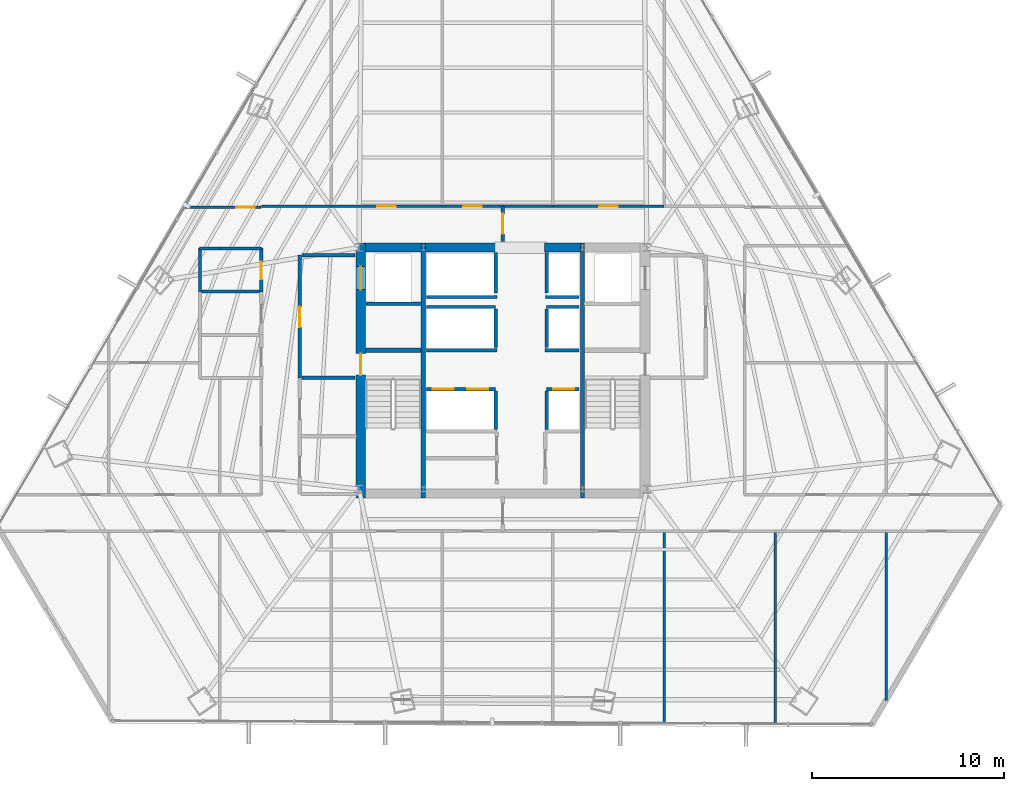
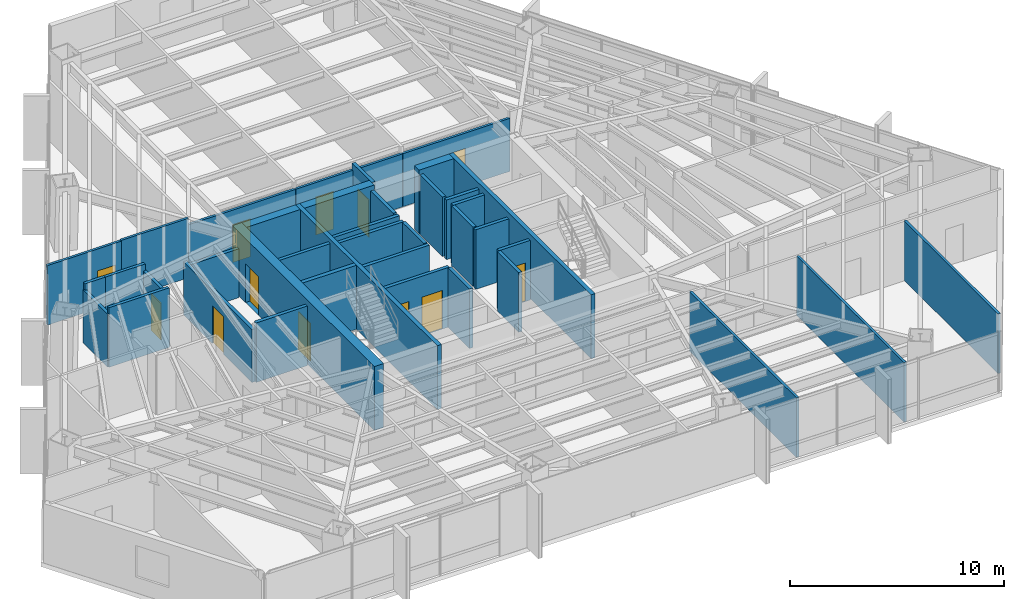
# One storey, part 31 of 37: 40 walls, 12 doors, 12 openings.
"""IFC4 building model written with IfcOpenShell, lengths in metres."""

from ifc_helpers import new_model, si_unit, direction, frame, frame_2d, origin, place, context, subcontext, project, spatial, rectangle, extrude, material, layer, layer_set, type_object, element, fill, save


model = new_model("IFC4")

# Units and contexts
model_context = context("Model", 3, precision=1e-05, world=origin(), true_north=direction((0.0, 1.0)))
body_context = subcontext(model_context, "Body", "Model", "MODEL_VIEW")
ifc_project = project(units=[si_unit("LENGTHUNIT", "METRE"), si_unit("AREAUNIT", "SQUARE_METRE"), si_unit("VOLUMEUNIT", "CUBIC_METRE"), si_unit("PLANEANGLEUNIT", "RADIAN"), si_unit("MASSUNIT", "GRAM", prefix="KILO")], contexts=[model_context])

# Site, building, storey
site_placement = place(None, origin())
site = spatial("IfcSite", under=ifc_project, at=site_placement, CompositionType="ELEMENT")
building_placement = place(site_placement, origin())
building = spatial("IfcBuilding", under=site, at=building_placement, Name="Caelisora Broadcast Tower", CompositionType="ELEMENT")
storey_placement = place(building_placement, frame((0.0, 0.0, 105.39990234375)))
storey = spatial("IfcBuildingStorey", under=building, at=storey_placement, Name="L27", CompositionType="ELEMENT", Elevation=105.39990234375)

# Wall, openings, doors
ifc_material_1 = material(Name="Concrete 50 MPa (AS 3600 S50)", Category="concrete")
ifc_layer_1 = layer(ifc_material_1, 0.5, Name="Concrete 50 MPa (AS 3600 S50)")
ifc_layer_set_1 = layer_set([ifc_layer_1], Name="Concrete 50 MPa (AS 3600 S50)")
wall_type_1 = type_object("IfcWallType", Name="CW2", PredefinedType="SHEAR", material=ifc_layer_set_1)
wall_1_placement = place(storey_placement, frame((30.590087890625, 16.949951171875, 0.0), z_axis=(0.0, 0.0, 1.0), x_axis=(0.0, 1.0, 0.0)))
wall_1 = element("IfcWall", 1, at=wall_1_placement, inside=storey, type_object=wall_type_1, Name="L27 core shear wall CW2", PredefinedType="SHEAR", context=body_context, shape_type="SweptSolid", body=[
    extrude(rectangle(XDim=13.275146484375, YDim=0.5, at=frame_2d((6.6376953125, 0.0))), origin(), (0.0, 0.0, 1.0), 3.650146484375),
])
opening_1_placement = place(wall_1_placement, frame((6.39990234375, 0.0, 0.0)))
opening_1 = element("IfcOpeningElement", 2, at=opening_1_placement, cuts=wall_1, Name="Opening FD04", PredefinedType="OPENING", context=body_context, shape_type="SweptSolid", body=[
    extrude(rectangle(XDim=1.1201171875, YDim=2.14990234375, at=frame_2d((0.56005859375, 1.074951171875))), frame((0.0, 0.261962890625, 0.0), z_axis=(0.0, -1.0, 0.0), x_axis=(1.0, 0.0, 0.0)), (0.0, 0.0, 1.0), 0.52392578125),
])
opening_2_placement = place(wall_1_placement, frame((10.85009765625, 0.0, 0.0)))
opening_2 = element("IfcOpeningElement", 3, at=opening_2_placement, cuts=wall_1, Name="Opening LD04", PredefinedType="OPENING", context=body_context, shape_type="SweptSolid", body=[
    extrude(rectangle(XDim=1.199951171875, YDim=2.199951171875, at=frame_2d((0.60009765625, 1.10009765625))), frame((0.0, 0.261962890625, 0.0), z_axis=(0.0, -1.0, 0.0), x_axis=(1.0, 0.0, 0.0)), (0.0, 0.0, 1.0), 0.52392578125),
])
ifc_material_2 = material(Name="Pressurised Fire-Isolated Stair Door", Category="steel")
door_type_1 = type_object("IfcDoorType", Name="FD04", OperationType="NOTDEFINED", PredefinedType="DOOR", material=ifc_material_2)
door_1_placement = place(opening_1_placement, origin())
door_1 = element("IfcDoor", 4, at=door_1_placement, inside=storey, type_object=door_type_1, Name="L27 door FD04 (L27-DR-ST1)", OperationType="SINGLE_SWING_LEFT", OverallHeight=2.14990234375, OverallWidth=1.1201171875, PredefinedType="DOOR", context=body_context, shape_type="SweptSolid", body=[
    extrude(rectangle(XDim=1.1201171875, YDim=2.14990234375, at=frame_2d((0.56005859375, 1.074951171875))), frame((0.0, 0.02490234375, 0.0), z_axis=(0.0, -1.0, 0.0), x_axis=(1.0, 0.0, 0.0)), (0.0, 0.0, 1.0), 0.050048828125),
])
fill(opening_1, door_1)
ifc_material_3 = material(Name="Emergency Firefighting Lift Sliding Landing Door", Category="steel")
door_type_2 = type_object("IfcDoorType", Name="LD04", OperationType="NOTDEFINED", PredefinedType="DOOR", material=ifc_material_3)
door_2_placement = place(opening_2_placement, origin())
door_2 = element("IfcDoor", 5, at=door_2_placement, inside=storey, type_object=door_type_2, Name="L27 door LD04 (L27-LD-FFL1)", OperationType="SLIDING_TO_LEFT", OverallHeight=2.199951171875, OverallWidth=1.199951171875, PredefinedType="DOOR", context=body_context, shape_type="SweptSolid", body=[
    extrude(rectangle(XDim=1.199951171875, YDim=2.199951171875, at=frame_2d((0.60009765625, 1.10009765625))), frame((0.0, 0.02490234375, 0.0), z_axis=(0.0, -1.0, 0.0), x_axis=(1.0, 0.0, 0.0)), (0.0, 0.0, 1.0), 0.050048828125),
])
fill(opening_2, door_2)

# Walls
ifc_layer_2 = layer(ifc_material_1, 0.449951171875, Name="Concrete 50 MPa (AS 3600 S50)")
ifc_layer_set_2 = layer_set([ifc_layer_2], Name="Concrete 50 MPa (AS 3600 S50)")
wall_type_2 = type_object("IfcWallType", Name="CW5", PredefinedType="SHEAR", material=ifc_layer_set_2)
wall_2_placement = place(storey_placement, frame((30.840087890625, 30.0, 0.0), z_axis=(0.0, 0.0, 1.0), x_axis=(1.0, 0.0, 0.0)))
element("IfcWall", 6, at=wall_2_placement, inside=storey, type_object=wall_type_2, Name="L27 core shear wall CW5", PredefinedType="SHEAR", context=body_context, shape_type="SweptSolid", body=[
    extrude(rectangle(XDim=2.89990234375, YDim=0.449951171875, at=frame_2d((1.449951171875, 0.0))), origin(), (0.0, 0.0, 1.0), 3.650146484375),
])
wall_3_placement = place(storey_placement, frame((33.9599609375, 30.0, 0.0), z_axis=(0.0, 0.0, 1.0), x_axis=(1.0, 0.0, 0.0)))
element("IfcWall", 7, at=wall_3_placement, inside=storey, type_object=wall_type_2, Name="L27 core shear wall CW5", PredefinedType="SHEAR", context=body_context, shape_type="SweptSolid", body=[
    extrude(rectangle(XDim=3.780029296875, YDim=0.449951171875, at=frame_2d((1.89013671875, 0.0))), origin(), (0.0, 0.0, 1.0), 3.650146484375),
])
wall_4_placement = place(storey_placement, frame((40.159912109375, 30.0, 0.0), z_axis=(0.0, 0.0, 1.0), x_axis=(1.0, 0.0, 0.0)))
element("IfcWall", 8, at=wall_4_placement, inside=storey, type_object=wall_type_2, Name="L27 core shear wall CW5", PredefinedType="SHEAR", context=body_context, shape_type="SweptSolid", body=[
    extrude(rectangle(XDim=1.880126953125, YDim=0.449951171875, at=frame_2d((0.93994140625, 0.0))), origin(), (0.0, 0.0, 1.0), 3.650146484375),
])
ifc_layer_3 = layer(ifc_material_1, 0.219970703125, Name="Concrete 50 MPa (AS 3600 S50)")
ifc_layer_set_3 = layer_set([ifc_layer_3], Name="Concrete 50 MPa (AS 3600 S50)")
wall_type_3 = type_object("IfcWallType", Name="CW7", PredefinedType="SHEAR", material=ifc_layer_set_3)
for number, where, z_axis, x_axis, name in (
    (9, (33.85009765625, 16.949951171875, 0.0), (0.0, 0.0, 1.0), (0.0, 1.0, 0.0), "L27 core shear wall CW7"),
    (10, (42.14990234375, 16.949951171875, 0.0), (0.0, 0.0, 1.0), (0.0, 1.0, 0.0), "L27 core shear wall CW7"),
):
    element("IfcWall", number, at=place(storey_placement, frame(where, z_axis=z_axis, x_axis=x_axis)), inside=storey, type_object=wall_type_3, Name=name, PredefinedType="SHEAR", context=body_context, shape_type="SweptSolid", body=[
        extrude(rectangle(XDim=13.275146484375, YDim=0.219970703125, at=frame_2d((6.6376953125, 0.0))), origin(), (0.0, 0.0, 1.0), 3.650146484375),
    ])
wall_5_placement = place(storey_placement, frame((30.840087890625, 24.639892578125, 0.0), z_axis=(0.0, 0.0, 1.0), x_axis=(1.0, 0.0, 0.0)))
element("IfcWall", 11, at=wall_5_placement, inside=storey, type_object=wall_type_3, Name="L27 core shear wall CW7", PredefinedType="SHEAR", context=body_context, shape_type="SweptSolid", body=[
    extrude(rectangle(XDim=2.89990234375, YDim=0.219970703125, at=frame_2d((1.449951171875, 0.0))), origin(), (0.0, 0.0, 1.0), 3.650146484375),
])

# Wall, openings, doors
ifc_material_4 = material(Name="Fire-Rated Gypsum Shaft and Compartment Wall", Category="gypsum")
ifc_layer_4 = layer(ifc_material_4, 0.179931640625, Name="Fire-Rated Gypsum Shaft and Compartment Wall")
ifc_layer_set_4 = layer_set([ifc_layer_4], Name="Fire-Rated Gypsum Shaft and Compartment Wall")
wall_type_4 = type_object("IfcWallType", Name="PW2", PredefinedType="PARTITIONING", material=ifc_layer_set_4)
wall_6_placement = place(storey_placement, frame((34.02001953125, 22.6201171875, 0.0), z_axis=(0.0, 0.0, 1.0), x_axis=(1.0, 0.0, 0.0)))
wall_6 = element("IfcWall", 12, at=wall_6_placement, inside=storey, type_object=wall_type_4, Name="L27 fire compartment wall PW2", PredefinedType="PARTITIONING", context=body_context, shape_type="SweptSolid", body=[
    extrude(rectangle(XDim=3.60009765625, YDim=0.179931640625, at=frame_2d((1.800048828125, 0.0))), origin(), (0.0, 0.0, 1.0), 3.400146484375),
])
opening_3_placement = place(wall_6_placement, frame((0.320068359375, 0.0, 0.0)))
opening_3 = element("IfcOpeningElement", 13, at=opening_3_placement, cuts=wall_6, Name="Opening LD01", PredefinedType="OPENING", context=body_context, shape_type="SweptSolid", body=[
    extrude(rectangle(XDim=1.10009765625, YDim=2.199951171875, at=frame_2d((0.550048828125, 1.10009765625))), frame((0.0, 0.10205078125, 0.0), z_axis=(0.0, -1.0, 0.0), x_axis=(1.0, 0.0, 0.0)), (0.0, 0.0, 1.0), 0.203857421875),
])
opening_4_placement = place(wall_6_placement, frame((2.1201171875, 0.0, 0.0)))
opening_4 = element("IfcOpeningElement", 14, at=opening_4_placement, cuts=wall_6, Name="Opening LD01", PredefinedType="OPENING", context=body_context, shape_type="SweptSolid", body=[
    extrude(rectangle(XDim=1.10009765625, YDim=2.199951171875, at=frame_2d((0.550048828125, 1.10009765625))), frame((0.0, 0.10205078125, 0.0), z_axis=(0.0, -1.0, 0.0), x_axis=(1.0, 0.0, 0.0)), (0.0, 0.0, 1.0), 0.203857421875),
])
ifc_material_5 = material(Name="Stainless Steel Centre-Parting Lift Landing Door", Category="steel")
door_type_3 = type_object("IfcDoorType", Name="LD01", OperationType="NOTDEFINED", PredefinedType="DOOR", material=ifc_material_5)
door_3_placement = place(opening_3_placement, origin())
door_3 = element("IfcDoor", 15, at=door_3_placement, inside=storey, type_object=door_type_3, Name="L27 door LD01 (L27-LD-PLL1)", OperationType="SLIDING_TO_LEFT", OverallHeight=2.199951171875, OverallWidth=1.10009765625, PredefinedType="DOOR", context=body_context, shape_type="SweptSolid", body=[
    extrude(rectangle(XDim=1.10009765625, YDim=2.199951171875, at=frame_2d((0.550048828125, 1.10009765625))), frame((0.0, 0.02490234375, 0.0), z_axis=(0.0, -1.0, 0.0), x_axis=(1.0, 0.0, 0.0)), (0.0, 0.0, 1.0), 0.050048828125),
])
fill(opening_3, door_3)
door_4_placement = place(opening_4_placement, origin())
door_4 = element("IfcDoor", 16, at=door_4_placement, inside=storey, type_object=door_type_3, Name="L27 door LD01 (L27-LD-PLL2)", OperationType="SLIDING_TO_RIGHT", OverallHeight=2.199951171875, OverallWidth=1.10009765625, PredefinedType="DOOR", context=body_context, shape_type="SweptSolid", body=[
    extrude(rectangle(XDim=1.10009765625, YDim=2.199951171875, at=frame_2d((0.550048828125, 1.10009765625))), frame((0.0, 0.02490234375, 0.0), z_axis=(0.0, -1.0, 0.0), x_axis=(1.0, 0.0, 0.0)), (0.0, 0.0, 1.0), 0.050048828125),
])
fill(opening_4, door_4)

# Wall, opening, door
wall_7_placement = place(storey_placement, frame((40.280029296875, 22.6201171875, 0.0), z_axis=(0.0, 0.0, 1.0), x_axis=(1.0, 0.0, 0.0)))
wall_7 = element("IfcWall", 17, at=wall_7_placement, inside=storey, type_object=wall_type_4, Name="L27 fire compartment wall PW2", PredefinedType="PARTITIONING", context=body_context, shape_type="SweptSolid", body=[
    extrude(rectangle(XDim=1.699951171875, YDim=0.179931640625, at=frame_2d((0.85009765625, 0.0))), origin(), (0.0, 0.0, 1.0), 3.400146484375),
])
opening_5_placement = place(wall_7_placement, frame((0.35009765625, 0.0, 0.0)))
opening_5 = element("IfcOpeningElement", 18, at=opening_5_placement, cuts=wall_7, Name="Opening LD01", PredefinedType="OPENING", context=body_context, shape_type="SweptSolid", body=[
    extrude(rectangle(XDim=1.10009765625, YDim=2.199951171875, at=frame_2d((0.550048828125, 1.10009765625))), frame((0.0, 0.10205078125, 0.0), z_axis=(0.0, -1.0, 0.0), x_axis=(1.0, 0.0, 0.0)), (0.0, 0.0, 1.0), 0.203857421875),
])
door_5_placement = place(opening_5_placement, origin())
door_5 = element("IfcDoor", 19, at=door_5_placement, inside=storey, type_object=door_type_3, Name="L27 door LD01 (L27-LD-PLL3)", OperationType="SLIDING_TO_LEFT", OverallHeight=2.199951171875, OverallWidth=1.10009765625, PredefinedType="DOOR", context=body_context, shape_type="SweptSolid", body=[
    extrude(rectangle(XDim=1.10009765625, YDim=2.199951171875, at=frame_2d((0.550048828125, 1.10009765625))), frame((0.0, 0.02490234375, 0.0), z_axis=(0.0, -1.0, 0.0), x_axis=(1.0, 0.0, 0.0)), (0.0, 0.0, 1.0), 0.050048828125),
])
fill(opening_5, door_5)

# Walls
for number, where, z_axis, x_axis, name in (
    (20, (37.6201171875, 20.52001953125, 0.0), (0.0, 0.0, 1.0), (0.0, 1.0, 0.0), "L27 fire compartment wall PW2"),
    (21, (40.280029296875, 20.52001953125, 0.0), (0.0, 0.0, 1.0), (0.0, 1.0, 0.0), "L27 fire compartment wall PW2"),
):
    element("IfcWall", number, at=place(storey_placement, frame(where, z_axis=z_axis, x_axis=x_axis)), inside=storey, type_object=wall_type_4, Name=name, PredefinedType="PARTITIONING", context=body_context, shape_type="SweptSolid", body=[
        extrude(rectangle(XDim=2.0, YDim=0.179931640625, at=frame_2d((1.0, 0.0))), origin(), (0.0, 0.0, 1.0), 3.400146484375),
    ])
wall_8_placement = place(storey_placement, frame((34.02001953125, 26.89990234375, 0.0), z_axis=(0.0, 0.0, 1.0), x_axis=(1.0, 0.0, 0.0)))
element("IfcWall", 22, at=wall_8_placement, inside=storey, type_object=wall_type_4, Name="L27 fire compartment wall PW2", PredefinedType="PARTITIONING", context=body_context, shape_type="SweptSolid", body=[
    extrude(rectangle(XDim=3.60009765625, YDim=0.179931640625, at=frame_2d((1.800048828125, 0.0))), origin(), (0.0, 0.0, 1.0), 3.400146484375),
])
wall_9_placement = place(storey_placement, frame((40.280029296875, 26.89990234375, 0.0), z_axis=(0.0, 0.0, 1.0), x_axis=(1.0, 0.0, 0.0)))
element("IfcWall", 23, at=wall_9_placement, inside=storey, type_object=wall_type_4, Name="L27 fire compartment wall PW2", PredefinedType="PARTITIONING", context=body_context, shape_type="SweptSolid", body=[
    extrude(rectangle(XDim=1.699951171875, YDim=0.179931640625, at=frame_2d((0.85009765625, 0.0))), origin(), (0.0, 0.0, 1.0), 3.400146484375),
])
for number, where, z_axis, x_axis, name in (
    (24, (37.6201171875, 24.800048828125, 0.0), (0.0, 0.0, 1.0), (0.0, 1.0, 0.0), "L27 fire compartment wall PW2"),
    (25, (40.280029296875, 24.800048828125, 0.0), (0.0, 0.0, 1.0), (0.0, 1.0, 0.0), "L27 fire compartment wall PW2"),
):
    element("IfcWall", number, at=place(storey_placement, frame(where, z_axis=z_axis, x_axis=x_axis)), inside=storey, type_object=wall_type_4, Name=name, PredefinedType="PARTITIONING", context=body_context, shape_type="SweptSolid", body=[
        extrude(rectangle(XDim=2.0, YDim=0.179931640625, at=frame_2d((1.0, 0.0))), origin(), (0.0, 0.0, 1.0), 3.400146484375),
    ])
wall_10_placement = place(storey_placement, frame((34.02001953125, 24.639892578125, 0.0), z_axis=(0.0, 0.0, 1.0), x_axis=(1.0, 0.0, 0.0)))
element("IfcWall", 26, at=wall_10_placement, inside=storey, type_object=wall_type_4, Name="L27 fire compartment wall PW2", PredefinedType="PARTITIONING", context=body_context, shape_type="SweptSolid", body=[
    extrude(rectangle(XDim=3.679931640625, YDim=0.179931640625, at=frame_2d((1.83984375, 0.0))), origin(), (0.0, 0.0, 1.0), 3.400146484375),
])
wall_11_placement = place(storey_placement, frame((40.199951171875, 24.639892578125, 0.0), z_axis=(0.0, 0.0, 1.0), x_axis=(1.0, 0.0, 0.0)))
element("IfcWall", 27, at=wall_11_placement, inside=storey, type_object=wall_type_4, Name="L27 fire compartment wall PW2", PredefinedType="PARTITIONING", context=body_context, shape_type="SweptSolid", body=[
    extrude(rectangle(XDim=1.780029296875, YDim=0.179931640625, at=frame_2d((0.89013671875, 0.0))), origin(), (0.0, 0.0, 1.0), 3.400146484375),
])
wall_12_placement = place(storey_placement, frame((34.02001953125, 27.419921875, 0.0), z_axis=(0.0, 0.0, 1.0), x_axis=(1.0, 0.0, 0.0)))
element("IfcWall", 28, at=wall_12_placement, inside=storey, type_object=wall_type_4, Name="L27 fire compartment wall PW2", PredefinedType="PARTITIONING", context=body_context, shape_type="SweptSolid", body=[
    extrude(rectangle(XDim=3.659912109375, YDim=0.179931640625, at=frame_2d((1.830078125, 0.0))), origin(), (0.0, 0.0, 1.0), 3.400146484375),
])
wall_13_placement = place(storey_placement, frame((40.219970703125, 27.419921875, 0.0), z_axis=(0.0, 0.0, 1.0), x_axis=(1.0, 0.0, 0.0)))
element("IfcWall", 29, at=wall_13_placement, inside=storey, type_object=wall_type_4, Name="L27 fire compartment wall PW2", PredefinedType="PARTITIONING", context=body_context, shape_type="SweptSolid", body=[
    extrude(rectangle(XDim=1.760009765625, YDim=0.179931640625, at=frame_2d((0.8798828125, 0.0))), origin(), (0.0, 0.0, 1.0), 3.400146484375),
])
for number, where, z_axis, x_axis, name in (
    (30, (37.6201171875, 27.639892578125, 0.0), (0.0, 0.0, 1.0), (0.0, 1.0, 0.0), "L27 fire compartment wall PW2"),
    (31, (40.280029296875, 27.639892578125, 0.0), (0.0, 0.0, 1.0), (0.0, 1.0, 0.0), "L27 fire compartment wall PW2"),
):
    element("IfcWall", number, at=place(storey_placement, frame(where, z_axis=z_axis, x_axis=x_axis)), inside=storey, type_object=wall_type_4, Name=name, PredefinedType="PARTITIONING", context=body_context, shape_type="SweptSolid", body=[
        extrude(rectangle(XDim=2.110107421875, YDim=0.179931640625, at=frame_2d((1.05517578125, 0.0))), origin(), (0.0, 0.0, 1.0), 3.400146484375),
    ])

# Wall, opening, door
wall_14_placement = place(storey_placement, frame((27.419921875, 23.199951171875, 0.0), z_axis=(0.0, 0.0, 1.0), x_axis=(0.0, 1.0, 0.0)))
wall_14 = element("IfcWall", 32, at=wall_14_placement, inside=storey, type_object=wall_type_4, Name="L27 fire compartment wall PW2", PredefinedType="PARTITIONING", context=body_context, shape_type="SweptSolid", body=[
    extrude(rectangle(XDim=6.400146484375, YDim=0.179931640625, at=frame_2d((3.2001953125, 0.0))), origin(), (0.0, 0.0, 1.0), 3.026611328125),
])
opening_6_placement = place(wall_14_placement, frame((2.64990234375, 0.0, 0.0)))
opening_6 = element("IfcOpeningElement", 33, at=opening_6_placement, cuts=wall_14, Name="Opening FD02", PredefinedType="OPENING", context=body_context, shape_type="SweptSolid", body=[
    extrude(rectangle(XDim=1.050048828125, YDim=2.14990234375, at=frame_2d((0.52490234375, 1.074951171875))), frame((0.0, 0.10205078125, 0.0), z_axis=(0.0, -1.0, 0.0), x_axis=(1.0, 0.0, 0.0)), (0.0, 0.0, 1.0), 0.203857421875),
])
ifc_material_6 = material(Name="Single-Leaf Steel Fire Lobby Door", Category="steel")
door_type_4 = type_object("IfcDoorType", Name="FD02", OperationType="NOTDEFINED", PredefinedType="DOOR", material=ifc_material_6)
door_6_placement = place(opening_6_placement, origin())
door_6 = element("IfcDoor", 34, at=door_6_placement, inside=storey, type_object=door_type_4, Name="L27 door FD02 (L27-DR-P01D1)", OperationType="SINGLE_SWING_LEFT", OverallHeight=2.14990234375, OverallWidth=1.050048828125, PredefinedType="DOOR", context=body_context, shape_type="SweptSolid", body=[
    extrude(rectangle(XDim=1.050048828125, YDim=2.14990234375, at=frame_2d((0.52490234375, 1.074951171875))), frame((0.0, 0.02490234375, 0.0), z_axis=(0.0, -1.0, 0.0), x_axis=(1.0, 0.0, 0.0)), (0.0, 0.0, 1.0), 0.050048828125),
])
fill(opening_6, door_6)

# Walls
wall_15_placement = place(storey_placement, frame((27.52001953125, 23.199951171875, 0.0), z_axis=(0.0, 0.0, 1.0), x_axis=(1.0, 0.0, 0.0)))
element("IfcWall", 35, at=wall_15_placement, inside=storey, type_object=wall_type_4, Name="L27 fire compartment wall PW2", PredefinedType="PARTITIONING", context=body_context, shape_type="SweptSolid", body=[
    extrude(rectangle(XDim=2.760009765625, YDim=0.179931640625, at=frame_2d((1.3798828125, 0.0))), origin(), (0.0, 0.0, 1.0), 3.400146484375),
])
wall_16_placement = place(storey_placement, frame((27.52001953125, 29.60009765625, 0.0), z_axis=(0.0, 0.0, 1.0), x_axis=(1.0, 0.0, 0.0)))
element("IfcWall", 36, at=wall_16_placement, inside=storey, type_object=wall_type_4, Name="L27 fire compartment wall PW2", PredefinedType="PARTITIONING", context=body_context, shape_type="SweptSolid", body=[
    extrude(rectangle(XDim=2.760009765625, YDim=0.179931640625, at=frame_2d((1.3798828125, 0.0))), origin(), (0.0, 0.0, 1.0), 2.782958984375),
])
wall_17_placement = place(storey_placement, frame((30.860107421875, 27.070068359375, 0.0), z_axis=(0.0, 0.0, 1.0), x_axis=(1.0, 0.0, 0.0)))
element("IfcWall", 37, at=wall_17_placement, inside=storey, type_object=wall_type_4, Name="L27 fire compartment wall PW2", PredefinedType="PARTITIONING", context=body_context, shape_type="SweptSolid", body=[
    extrude(rectangle(XDim=2.89990234375, YDim=0.179931640625, at=frame_2d((1.449951171875, 0.0))), origin(), (0.0, 0.0, 1.0), 3.400146484375),
])

# Wall, opening, door
wall_18_placement = place(storey_placement, frame((38.0, 30.320068359375, 0.0), z_axis=(0.0, 0.0, 1.0), x_axis=(0.0, 1.0, 0.0)))
wall_18 = element("IfcWall", 38, at=wall_18_placement, inside=storey, type_object=wall_type_4, Name="L27 fire compartment wall PW2", PredefinedType="PARTITIONING", context=body_context, shape_type="SweptSolid", body=[
    extrude(rectangle(XDim=1.824951171875, YDim=0.179931640625, at=frame_2d((0.91259765625, 0.0))), origin(), (0.0, 0.0, 1.0), 3.400146484375),
])
opening_7_placement = place(wall_18_placement, frame((0.387939453125, 0.0, 0.0)))
opening_7 = element("IfcOpeningElement", 39, at=opening_7_placement, cuts=wall_18, Name="Opening FD02", PredefinedType="OPENING", context=body_context, shape_type="SweptSolid", body=[
    extrude(rectangle(XDim=1.050048828125, YDim=2.14990234375, at=frame_2d((0.52490234375, 1.074951171875))), frame((0.0, 0.10205078125, 0.0), z_axis=(0.0, -1.0, 0.0), x_axis=(1.0, 0.0, 0.0)), (0.0, 0.0, 1.0), 0.203857421875),
])
door_7_placement = place(opening_7_placement, origin())
door_7 = element("IfcDoor", 40, at=door_7_placement, inside=storey, type_object=door_type_4, Name="L27 door FD02 (L27-DR-P76D1)", OperationType="SINGLE_SWING_LEFT", OverallHeight=2.14990234375, OverallWidth=1.050048828125, PredefinedType="DOOR", context=body_context, shape_type="SweptSolid", body=[
    extrude(rectangle(XDim=1.050048828125, YDim=2.14990234375, at=frame_2d((0.52490234375, 1.074951171875))), frame((0.0, 0.02490234375, 0.0), z_axis=(0.0, -1.0, 0.0), x_axis=(1.0, 0.0, 0.0)), (0.0, 0.0, 1.0), 0.050048828125),
])
fill(opening_7, door_7)

# Walls
ifc_material_7 = material(Name="Acoustic Steel-Stud Plasterboard Partition", Category="gypsum")
ifc_layer_5 = layer(ifc_material_7, 0.1298828125, Name="Acoustic Steel-Stud Plasterboard Partition")
ifc_layer_set_5 = layer_set([ifc_layer_5], Name="Acoustic Steel-Stud Plasterboard Partition")
wall_type_5 = type_object("IfcWallType", Name="PW3", PredefinedType="PARTITIONING", material=ifc_layer_set_5)
wall_19_placement = place(storey_placement, frame((52.18994140625, 5.16259765625, 0.0), z_axis=(0.0, 0.0, 1.0), x_axis=(0.0, 1.0, 0.0)))
element("IfcWall", 41, at=wall_19_placement, inside=storey, type_object=wall_type_5, Name="L27 internal partition PW3", PredefinedType="PARTITIONING", context=body_context, shape_type="SweptSolid", body=[
    extrude(rectangle(XDim=10.032470703125, YDim=0.1298828125, at=frame_2d((5.01611328125, 0.0))), origin(), (0.0, 0.0, 1.0), 3.400146484375),
])
wall_20_placement = place(storey_placement, frame((46.39990234375, 5.18896484375, 0.0), z_axis=(0.0, 0.0, 1.0), x_axis=(0.0, 1.0, 0.0)))
element("IfcWall", 42, at=wall_20_placement, inside=storey, type_object=wall_type_5, Name="L27 internal partition PW3", PredefinedType="PARTITIONING", context=body_context, shape_type="SweptSolid", body=[
    extrude(rectangle(XDim=10.006103515625, YDim=0.1298828125, at=frame_2d((5.0029296875, 0.0))), origin(), (0.0, 0.0, 1.0), 3.400146484375),
])
wall_21_placement = place(storey_placement, frame((57.97998046875, 6.388671875, 0.0), z_axis=(0.0, 0.0, 1.0), x_axis=(0.0, 1.0, 0.0)))
element("IfcWall", 43, at=wall_21_placement, inside=storey, type_object=wall_type_5, Name="L27 internal partition PW3", PredefinedType="PARTITIONING", context=body_context, shape_type="SweptSolid", body=[
    extrude(rectangle(XDim=8.806396484375, YDim=0.1298828125, at=frame_2d((4.4033203125, 0.0))), origin(), (0.0, 0.0, 1.0), 3.400146484375),
])

# Wall, opening, door
wall_22_placement = place(storey_placement, frame((29.044921875, 32.14990234375, 0.0), z_axis=(0.0, 0.0, 1.0), x_axis=(1.0, 0.0, 0.0)))
wall_22 = element("IfcWall", 44, at=wall_22_placement, inside=storey, type_object=wall_type_5, Name="L27 internal partition PW3", PredefinedType="PARTITIONING", context=body_context, shape_type="SweptSolid", body=[
    extrude(rectangle(XDim=5.780029296875, YDim=0.1298828125, at=frame_2d((2.89013671875, 0.0))), origin(), (0.0, 0.0, 1.0), 3.026611328125),
])
opening_8_placement = place(wall_22_placement, frame((2.409912109375, 0.0, 0.0)))
opening_8 = element("IfcOpeningElement", 45, at=opening_8_placement, cuts=wall_22, Name="Opening D01", PredefinedType="OPENING", context=body_context, shape_type="SweptSolid", body=[
    extrude(rectangle(XDim=0.9599609375, YDim=2.14990234375, at=frame_2d((0.47998046875, 1.074951171875))), frame((0.0, 0.076904296875, 0.0), z_axis=(0.0, -1.0, 0.0), x_axis=(1.0, 0.0, 0.0)), (0.0, 0.0, 1.0), 0.15380859375),
])
ifc_material_8 = material(Name="Solid-Core Timber Acoustic Office Door", Category="wood")
door_type_5 = type_object("IfcDoorType", Name="D01", OperationType="NOTDEFINED", PredefinedType="DOOR", material=ifc_material_8)
door_8_placement = place(opening_8_placement, origin())
door_8 = element("IfcDoor", 46, at=door_8_placement, inside=storey, type_object=door_type_5, Name="L27 door D01 (L27-DR-P53D1)", OperationType="SINGLE_SWING_LEFT", OverallHeight=2.14990234375, OverallWidth=0.9599609375, PredefinedType="DOOR", context=body_context, shape_type="SweptSolid", body=[
    extrude(rectangle(XDim=0.9599609375, YDim=2.14990234375, at=frame_2d((0.47998046875, 1.074951171875))), frame((0.0, 0.02490234375, 0.0), z_axis=(0.0, -1.0, 0.0), x_axis=(1.0, 0.0, 0.0)), (0.0, 0.0, 1.0), 0.050048828125),
])
fill(opening_8, door_8)

wall_23_placement = place(storey_placement, frame((40.614990234375, 32.14990234375, 0.0), z_axis=(0.0, 0.0, 1.0), x_axis=(1.0, 0.0, 0.0)))
wall_23 = element("IfcWall", 47, at=wall_23_placement, inside=storey, type_object=wall_type_5, Name="L27 internal partition PW3", PredefinedType="PARTITIONING", context=body_context, shape_type="SweptSolid", body=[
    extrude(rectangle(XDim=5.780029296875, YDim=0.1298828125, at=frame_2d((2.89013671875, 0.0))), origin(), (0.0, 0.0, 1.0), 3.026611328125),
])
opening_9_placement = place(wall_23_placement, frame((2.409912109375, 0.0, 0.0)))
opening_9 = element("IfcOpeningElement", 48, at=opening_9_placement, cuts=wall_23, Name="Opening D01", PredefinedType="OPENING", context=body_context, shape_type="SweptSolid", body=[
    extrude(rectangle(XDim=0.9599609375, YDim=2.14990234375, at=frame_2d((0.47998046875, 1.074951171875))), frame((0.0, 0.076904296875, 0.0), z_axis=(0.0, -1.0, 0.0), x_axis=(1.0, 0.0, 0.0)), (0.0, 0.0, 1.0), 0.15380859375),
])
door_9_placement = place(opening_9_placement, origin())
door_9 = element("IfcDoor", 49, at=door_9_placement, inside=storey, type_object=door_type_5, Name="L27 door D01 (L27-DR-P57D1)", OperationType="SINGLE_SWING_LEFT", OverallHeight=2.14990234375, OverallWidth=0.9599609375, PredefinedType="DOOR", context=body_context, shape_type="SweptSolid", body=[
    extrude(rectangle(XDim=0.9599609375, YDim=2.14990234375, at=frame_2d((0.47998046875, 1.074951171875))), frame((0.0, 0.02490234375, 0.0), z_axis=(0.0, -1.0, 0.0), x_axis=(1.0, 0.0, 0.0)), (0.0, 0.0, 1.0), 0.050048828125),
])
fill(opening_9, door_9)

wall_24_placement = place(storey_placement, frame((21.40087890625, 32.10009765625, 0.0), z_axis=(0.0, 0.0, 1.0), x_axis=(1.0, 0.0, 0.0)))
wall_24 = element("IfcWall", 50, at=wall_24_placement, inside=storey, type_object=wall_type_5, Name="L27 internal partition PW3", PredefinedType="PARTITIONING", context=body_context, shape_type="SweptSolid", body=[
    extrude(rectangle(XDim=3.994140625, YDim=0.1298828125, at=frame_2d((1.9970703125, 0.0))), origin(), (0.0, 0.0, 1.0), 3.400146484375),
])
opening_10_placement = place(wall_24_placement, frame((2.699951171875, 0.0, 0.0)))
opening_10 = element("IfcOpeningElement", 51, at=opening_10_placement, cuts=wall_24, Name="Opening D01", PredefinedType="OPENING", context=body_context, shape_type="SweptSolid", body=[
    extrude(rectangle(XDim=0.9599609375, YDim=2.14990234375, at=frame_2d((0.47998046875, 1.074951171875))), frame((0.0, 0.076904296875, 0.0), z_axis=(0.0, -1.0, 0.0), x_axis=(1.0, 0.0, 0.0)), (0.0, 0.0, 1.0), 0.15380859375),
])
door_10_placement = place(opening_10_placement, origin())
door_10 = element("IfcDoor", 52, at=door_10_placement, inside=storey, type_object=door_type_5, Name="L27 door D01 (L27-DR-P67D1)", OperationType="SINGLE_SWING_LEFT", OverallHeight=2.14990234375, OverallWidth=0.9599609375, PredefinedType="DOOR", context=body_context, shape_type="SweptSolid", body=[
    extrude(rectangle(XDim=0.9599609375, YDim=2.14990234375, at=frame_2d((0.47998046875, 1.074951171875))), frame((0.0, 0.02490234375, 0.0), z_axis=(0.0, -1.0, 0.0), x_axis=(1.0, 0.0, 0.0)), (0.0, 0.0, 1.0), 0.050048828125),
])
fill(opening_10, door_10)

# Wall
wall_25_placement = place(storey_placement, frame((25.405029296875, 32.14990234375, 0.0), z_axis=(0.0, 0.0, 1.0), x_axis=(1.0, 0.0, 0.0)))
element("IfcWall", 53, at=wall_25_placement, inside=storey, type_object=wall_type_5, Name="L27 internal partition PW3", PredefinedType="PARTITIONING", context=body_context, shape_type="SweptSolid", body=[
    extrude(rectangle(XDim=3.6298828125, YDim=0.1298828125, at=frame_2d((1.81494140625, 0.0))), origin(), (0.0, 0.0, 1.0), 3.400146484375),
])

# Wall, opening, door
wall_26_placement = place(storey_placement, frame((34.8349609375, 32.14990234375, 0.0), z_axis=(0.0, 0.0, 1.0), x_axis=(1.0, 0.0, 0.0)))
wall_26 = element("IfcWall", 54, at=wall_26_placement, inside=storey, type_object=wall_type_5, Name="L27 internal partition PW3", PredefinedType="PARTITIONING", context=body_context, shape_type="SweptSolid", body=[
    extrude(rectangle(XDim=3.16015625, YDim=0.1298828125, at=frame_2d((1.580078125, 0.0))), origin(), (0.0, 0.0, 1.0), 3.026611328125),
])
opening_11_placement = place(wall_26_placement, frame((1.10009765625, 0.0, 0.0)))
opening_11 = element("IfcOpeningElement", 55, at=opening_11_placement, cuts=wall_26, Name="Opening D01", PredefinedType="OPENING", context=body_context, shape_type="SweptSolid", body=[
    extrude(rectangle(XDim=0.9599609375, YDim=2.14990234375, at=frame_2d((0.47998046875, 1.074951171875))), frame((0.0, 0.076904296875, 0.0), z_axis=(0.0, -1.0, 0.0), x_axis=(1.0, 0.0, 0.0)), (0.0, 0.0, 1.0), 0.15380859375),
])
door_11_placement = place(opening_11_placement, origin())
door_11 = element("IfcDoor", 56, at=door_11_placement, inside=storey, type_object=door_type_5, Name="L27 door D01 (L27-DR-P69D1)", OperationType="SINGLE_SWING_RIGHT", OverallHeight=2.14990234375, OverallWidth=0.9599609375, PredefinedType="DOOR", context=body_context, shape_type="SweptSolid", body=[
    extrude(rectangle(XDim=0.9599609375, YDim=2.14990234375, at=frame_2d((0.47998046875, 1.074951171875))), frame((0.0, 0.02490234375, 0.0), z_axis=(0.0, -1.0, 0.0), x_axis=(1.0, 0.0, 0.0)), (0.0, 0.0, 1.0), 0.050048828125),
])
fill(opening_11, door_11)

# Walls
wall_27_placement = place(storey_placement, frame((38.0048828125, 32.14990234375, 0.0), z_axis=(0.0, 0.0, 1.0), x_axis=(1.0, 0.0, 0.0)))
element("IfcWall", 57, at=wall_27_placement, inside=storey, type_object=wall_type_5, Name="L27 internal partition PW3", PredefinedType="PARTITIONING", context=body_context, shape_type="SweptSolid", body=[
    extrude(rectangle(XDim=2.60009765625, YDim=0.1298828125, at=frame_2d((1.300048828125, 0.0))), origin(), (0.0, 0.0, 1.0), 3.026611328125),
])
ifc_material_9 = material(Name="Moisture-Resistant Wet Plumbing Service Wall", Category="gypsum")
ifc_layer_6 = layer(ifc_material_9, 0.159912109375, Name="Moisture-Resistant Wet Plumbing Service Wall")
ifc_layer_set_6 = layer_set([ifc_layer_6], Name="Moisture-Resistant Wet Plumbing Service Wall")
wall_type_6 = type_object("IfcWallType", Name="PW4", PredefinedType="PLUMBINGWALL", material=ifc_layer_set_6)
wall_28_placement = place(storey_placement, frame((22.175048828125, 27.699951171875, 0.0), z_axis=(0.0, 0.0, 1.0), x_axis=(1.0, 0.0, 0.0)))
element("IfcWall", 58, at=wall_28_placement, inside=storey, type_object=wall_type_6, Name="L27 wet plumbing wall PW4", PredefinedType="PLUMBINGWALL", context=body_context, shape_type="SweptSolid", body=[
    extrude(rectangle(XDim=3.25, YDim=0.159912109375, at=frame_2d((1.625, 0.0))), origin(), (0.0, 0.0, 1.0), 3.400146484375),
])

# Wall, opening, door
wall_29_placement = place(storey_placement, frame((25.39990234375, 27.675048828125, 0.0), z_axis=(0.0, 0.0, 1.0), x_axis=(0.0, 1.0, 0.0)))
wall_29 = element("IfcWall", 59, at=wall_29_placement, inside=storey, type_object=wall_type_6, Name="L27 wet plumbing wall PW4", PredefinedType="PLUMBINGWALL", context=body_context, shape_type="SweptSolid", body=[
    extrude(rectangle(XDim=2.300048828125, YDim=0.159912109375, at=frame_2d((1.14990234375, 0.0))), origin(), (0.0, 0.0, 1.0), 3.026611328125),
])
opening_12_placement = place(wall_29_placement, frame((0.659912109375, 0.0, 0.0)))
opening_12 = element("IfcOpeningElement", 60, at=opening_12_placement, cuts=wall_29, Name="Opening D03", PredefinedType="OPENING", context=body_context, shape_type="SweptSolid", body=[
    extrude(rectangle(XDim=0.919921875, YDim=2.10009765625, at=frame_2d((0.4599609375, 1.050048828125))), frame((0.0, 0.092041015625, 0.0), z_axis=(0.0, -1.0, 0.0), x_axis=(1.0, 0.0, 0.0)), (0.0, 0.0, 1.0), 0.183837890625),
])
ifc_material_10 = material(Name="Laminate Moisture-Resistant Amenity WC Door", Category="wood")
door_type_6 = type_object("IfcDoorType", Name="D03", OperationType="NOTDEFINED", PredefinedType="DOOR", material=ifc_material_10)
door_12_placement = place(opening_12_placement, origin())
door_12 = element("IfcDoor", 61, at=door_12_placement, inside=storey, type_object=door_type_6, Name="L27 door D03 (L27-DR-P21D1)", OperationType="SINGLE_SWING_RIGHT", OverallHeight=2.10009765625, OverallWidth=0.919921875, PredefinedType="DOOR", context=body_context, shape_type="SweptSolid", body=[
    extrude(rectangle(XDim=0.919921875, YDim=2.10009765625, at=frame_2d((0.4599609375, 1.050048828125))), frame((0.0, 0.02490234375, 0.0), z_axis=(0.0, -1.0, 0.0), x_axis=(1.0, 0.0, 0.0)), (0.0, 0.0, 1.0), 0.050048828125),
])
fill(opening_12, door_12)

# Walls
wall_30_placement = place(storey_placement, frame((22.199951171875, 27.675048828125, 0.0), z_axis=(0.0, 0.0, 1.0), x_axis=(0.0, 1.0, 0.0)))
element("IfcWall", 62, at=wall_30_placement, inside=storey, type_object=wall_type_6, Name="L27 wet plumbing wall PW4", PredefinedType="PLUMBINGWALL", context=body_context, shape_type="SweptSolid", body=[
    extrude(rectangle(XDim=2.300048828125, YDim=0.159912109375, at=frame_2d((1.14990234375, 0.0))), origin(), (0.0, 0.0, 1.0), 3.026611328125),
])
wall_31_placement = place(storey_placement, frame((23.22509765625, 29.949951171875, 0.0), z_axis=(0.0, 0.0, 1.0), x_axis=(1.0, 0.0, 0.0)))
element("IfcWall", 63, at=wall_31_placement, inside=storey, type_object=wall_type_6, Name="L27 wet plumbing wall PW4", PredefinedType="PLUMBINGWALL", context=body_context, shape_type="SweptSolid", body=[
    extrude(rectangle(XDim=2.199951171875, YDim=0.159912109375, at=frame_2d((1.10009765625, 0.0))), origin(), (0.0, 0.0, 1.0), 3.400146484375),
])
wall_32_placement = place(storey_placement, frame((22.175048828125, 29.949951171875, 0.0), z_axis=(0.0, 0.0, 1.0), x_axis=(1.0, 0.0, 0.0)))
element("IfcWall", 64, at=wall_32_placement, inside=storey, type_object=wall_type_6, Name="L27 wet plumbing wall PW4", PredefinedType="PLUMBINGWALL", context=body_context, shape_type="SweptSolid", body=[
    extrude(rectangle(XDim=1.099853515625, YDim=0.159912109375, at=frame_2d((0.5498046875, 0.0))), origin(), (0.0, 0.0, 1.0), 3.400146484375),
])

save(model, "model.ifc")
